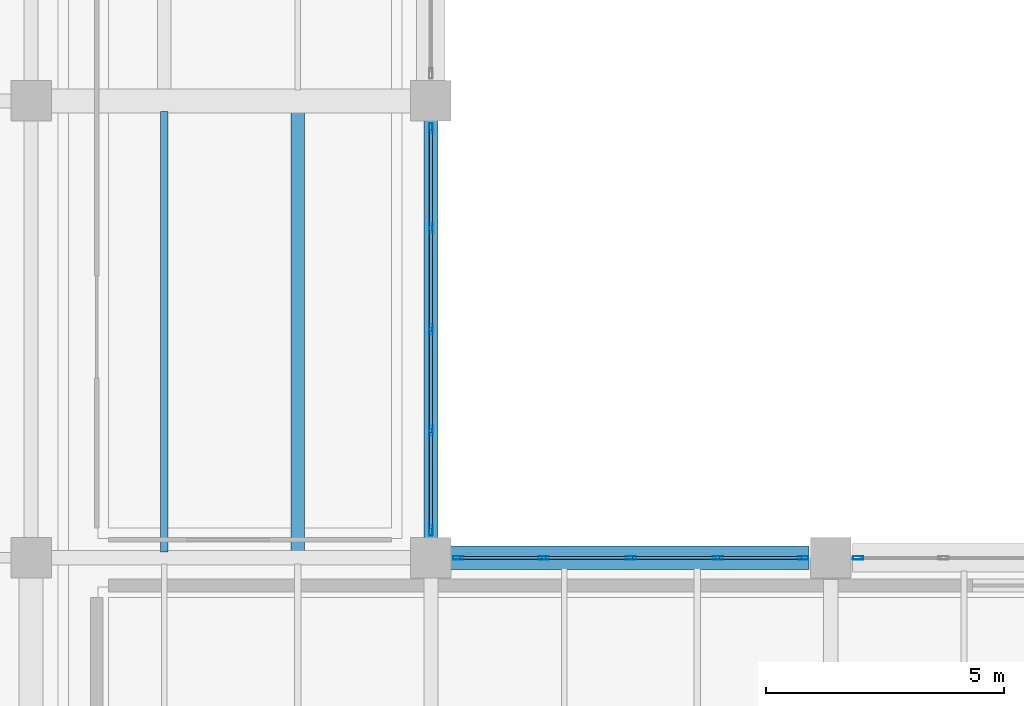
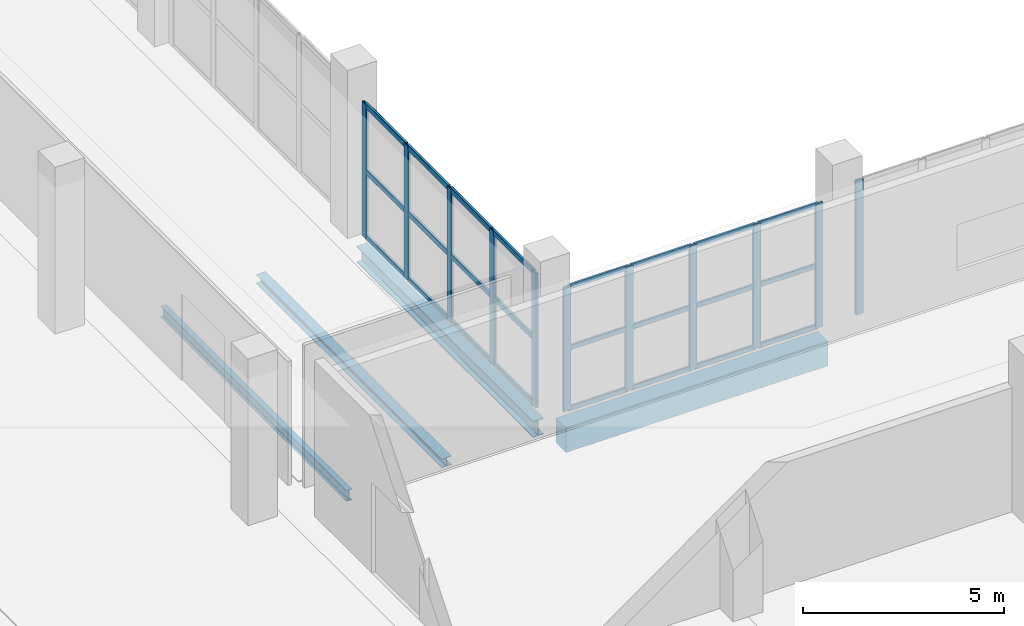
# One storey, part 28 of 66: 35 members, 4 beams, 3 elements without a shape of their own.
"""IFC4 building model written with IfcOpenShell, lengths in metres."""

from ifc_helpers import new_model, si_unit, direction, frame, origin, origin_2d, place, context, subcontext, project, spatial, rectangle, hollow_rectangle, i_section, extrude, material, layer, layer_set, material_profile, profile_set, type_object, element, aggregate, save


model = new_model("IFC4")

# Units and contexts
model_context = context("Model", 3, precision=1e-05, world=origin(), true_north=direction((0.0, 1.0)))
body_context = subcontext(model_context, "Body", "Model", "MODEL_VIEW")
ifc_project = project(units=[si_unit("LENGTHUNIT", "METRE"), si_unit("AREAUNIT", "SQUARE_METRE"), si_unit("VOLUMEUNIT", "CUBIC_METRE"), si_unit("PLANEANGLEUNIT", "RADIAN"), si_unit("MASSUNIT", "GRAM", prefix="KILO")], contexts=[model_context])

# Site, building, storey
site_placement = place(None, origin())
site = spatial("IfcSite", under=ifc_project, at=site_placement, CompositionType="ELEMENT")
building_placement = place(site_placement, origin())
building = spatial("IfcBuilding", under=site, at=building_placement, Name="Zulmaris Art Gallery", CompositionType="ELEMENT")
storey_placement = place(building_placement, frame((0.0, 0.0, 5.39990234375)))
storey = spatial("IfcBuildingStorey", under=building, at=storey_placement, Name="L01", CompositionType="ELEMENT", Elevation=5.39990234375)

# Beams
ifc_material_1 = material(Name="Steel S355J2", Category="steel")
ifc_material_profile_1 = material_profile(ifc_material_1, i_section(OverallWidth=0.300048828125, OverallDepth=0.5, WebThickness=0.014404296875, FlangeThickness=0.028076171875, FilletRadius=0.027099609375, at=origin_2d()), Name="HEB 500")
ifc_profile_set_1 = profile_set([ifc_material_profile_1], Name="Steel S355J2")
beam_type_1 = type_object("IfcBeamType", Name="BEAM-BM14", PredefinedType="BEAM", material=ifc_profile_set_1)
beam_1_placement = place(storey_placement, frame((158.39990234375, 31.610107421875, -0.579833984375), z_axis=(0.0, 1.0, 0.0), x_axis=(-1.0, 0.0, 0.0)))
element("IfcBeam", 1, at=beam_1_placement, inside=storey, type_object=beam_type_1, Name="L01 Y-girder (x=158.4, 31.2..40.8)", PredefinedType="BEAM", context=body_context, shape_type="SweptSolid", body=[
    extrude(i_section(OverallWidth=0.300048828125, OverallDepth=0.5, WebThickness=0.014404296875, FlangeThickness=0.028076171875, FilletRadius=0.027099609375, at=origin_2d()), origin(), (0.0, 0.0, 1.0), 8.77978515625),
])
ifc_material_2 = material(Name="Concrete C40/50", Category="concrete")
ifc_material_profile_2 = material_profile(ifc_material_2, rectangle(XDim=0.5, YDim=0.75, at=origin_2d()), Name="RC 500x750")
ifc_profile_set_2 = profile_set([ifc_material_profile_2], Name="Concrete C40/50")
beam_type_2 = type_object("IfcBeamType", Name="BEAM-BM20", PredefinedType="BEAM", material=ifc_profile_set_2)
beam_2_placement = place(storey_placement, frame((158.81005859375, 31.199951171875, -0.704833984375), z_axis=(1.0, 0.0, 0.0), x_axis=(0.0, 1.0, 0.0)))
element("IfcBeam", 2, at=beam_2_placement, inside=storey, type_object=beam_type_2, Name="L01 X-girder (158.4..166.8, y=31.2)", PredefinedType="BEAM", context=body_context, shape_type="SweptSolid", body=[
    extrude(rectangle(XDim=0.5, YDim=0.75, at=origin_2d()), origin(), (0.0, 0.0, 1.0), 7.530029296875),
])
ifc_material_profile_3 = material_profile(ifc_material_1, i_section(OverallWidth=0.159912109375, OverallDepth=0.330078125, WebThickness=0.007568359375, FlangeThickness=0.011474609375, FilletRadius=0.01806640625, at=origin_2d()), Name="IPE 330")
ifc_profile_set_3 = profile_set([ifc_material_profile_3], Name="Steel S355J2")
beam_type_3 = type_object("IfcBeamType", Name="BEAM-JS03", PredefinedType="JOIST", material=ifc_profile_set_3)
beam_3_placement = place(storey_placement, frame((152.800048828125, 31.324951171875, -0.494873046875), z_axis=(0.0, 1.0, 0.0), x_axis=(-1.0, 0.0, 0.0)))
element("IfcBeam", 3, at=beam_3_placement, inside=storey, type_object=beam_type_3, Name="L01 secondary joist at x=152.8", PredefinedType="JOIST", context=body_context, shape_type="SweptSolid", body=[
    extrude(i_section(OverallWidth=0.159912109375, OverallDepth=0.330078125, WebThickness=0.007568359375, FlangeThickness=0.011474609375, FilletRadius=0.01806640625, at=origin_2d()), origin(), (0.0, 0.0, 1.0), 9.25),
])
ifc_material_profile_4 = material_profile(ifc_material_1, i_section(OverallWidth=0.280029296875, OverallDepth=0.27001953125, WebThickness=0.008056640625, FlangeThickness=0.012939453125, FilletRadius=0.02392578125, at=origin_2d()), Name="HEA 280")
ifc_profile_set_4 = profile_set([ifc_material_profile_4], Name="Steel S355J2")
beam_type_4 = type_object("IfcBeamType", Name="BEAM-JS04", PredefinedType="JOIST", material=ifc_profile_set_4)
beam_4_placement = place(storey_placement, frame((155.60009765625, 31.324951171875, -0.46484375), z_axis=(0.0, 1.0, 0.0), x_axis=(-1.0, 0.0, 0.0)))
element("IfcBeam", 4, at=beam_4_placement, inside=storey, type_object=beam_type_4, Name="L01 secondary joist at x=155.6", PredefinedType="JOIST", context=body_context, shape_type="SweptSolid", body=[
    extrude(i_section(OverallWidth=0.280029296875, OverallDepth=0.27001953125, WebThickness=0.008056640625, FlangeThickness=0.012939453125, FilletRadius=0.02392578125, at=origin_2d()), origin(), (0.0, 0.0, 1.0), 9.25),
])

# Curtain wall, members
ifc_material_3 = material(Name="Courtyard Artists Studio Curtain Wall", Category="aluminium")
ifc_layer = layer(ifc_material_3, 0.179931640625)
ifc_layer_set = layer_set([ifc_layer], Name="Courtyard Artists Studio Curtain Wall")
curtain_wall_type = type_object("IfcCurtainWallType", Name="CW-CW04", PredefinedType="NOTDEFINED", material=ifc_layer_set)
curtain_wall_1_placement = place(storey_placement, origin())
curtain_wall_1 = element("IfcCurtainWall", 5, at=curtain_wall_1_placement, inside=storey, type_object=curtain_wall_type, Name="L01 curtain wall 123", PredefinedType="NOTDEFINED")
ifc_material_4 = material(Name="Anodised Bronze Aluminium", Category="aluminium")
ifc_material_profile_5 = material_profile(ifc_material_4, hollow_rectangle(XDim=0.074951171875, YDim=0.219970703125, WallThickness=0.0048828125, InnerFilletRadius=0.007568359375, OuterFilletRadius=0.012451171875, at=origin_2d()), Name="ALU 75x220x5")
ifc_profile_set_5 = profile_set([ifc_material_profile_5], Name="Anodised Bronze Aluminium")
member_type_1 = type_object("IfcMemberType", Name="CWMUL-02", PredefinedType="MULLION", material=ifc_profile_set_5)
member_1_placement = place(storey_placement, frame((158.39990234375, 31.777587890625, 0.0), z_axis=(0.0, 0.0, 1.0), x_axis=(-1.0, 0.0, 0.0)))
member_1 = element("IfcMember", 6, at=member_1_placement, type_object=member_type_1, Name="CW04 mullion 1", PredefinedType="MULLION", context=body_context, shape_type="SweptSolid", body=[
    extrude(hollow_rectangle(XDim=0.074951171875, YDim=0.219970703125, WallThickness=0.0048828125, InnerFilletRadius=0.007568359375, OuterFilletRadius=0.012451171875, at=origin_2d()), origin(), (0.0, 0.0, 1.0), 4.070068359375),
])
member_2_placement = place(storey_placement, frame((158.39990234375, 33.8701171875, 0.0), z_axis=(0.0, 0.0, 1.0), x_axis=(-1.0, 0.0, 0.0)))
member_2 = element("IfcMember", 7, at=member_2_placement, type_object=member_type_1, Name="CW04 mullion 2", PredefinedType="MULLION", context=body_context, shape_type="SweptSolid", body=[
    extrude(hollow_rectangle(XDim=0.074951171875, YDim=0.219970703125, WallThickness=0.0048828125, InnerFilletRadius=0.007568359375, OuterFilletRadius=0.012451171875, at=origin_2d()), origin(), (0.0, 0.0, 1.0), 4.070068359375),
])
member_3_placement = place(storey_placement, frame((158.39990234375, 36.0, 0.0), z_axis=(0.0, 0.0, 1.0), x_axis=(-1.0, 0.0, 0.0)))
member_3 = element("IfcMember", 8, at=member_3_placement, type_object=member_type_1, Name="CW04 mullion 3", PredefinedType="MULLION", context=body_context, shape_type="SweptSolid", body=[
    extrude(hollow_rectangle(XDim=0.074951171875, YDim=0.219970703125, WallThickness=0.0048828125, InnerFilletRadius=0.007568359375, OuterFilletRadius=0.012451171875, at=origin_2d()), origin(), (0.0, 0.0, 1.0), 4.070068359375),
])
member_4_placement = place(storey_placement, frame((158.39990234375, 38.1298828125, 0.0), z_axis=(0.0, 0.0, 1.0), x_axis=(-1.0, 0.0, 0.0)))
member_4 = element("IfcMember", 9, at=member_4_placement, type_object=member_type_1, Name="CW04 mullion 4", PredefinedType="MULLION", context=body_context, shape_type="SweptSolid", body=[
    extrude(hollow_rectangle(XDim=0.074951171875, YDim=0.219970703125, WallThickness=0.0048828125, InnerFilletRadius=0.007568359375, OuterFilletRadius=0.012451171875, at=origin_2d()), origin(), (0.0, 0.0, 1.0), 4.070068359375),
])
member_5_placement = place(storey_placement, frame((158.39990234375, 40.222412109375, 0.0), z_axis=(0.0, 0.0, 1.0), x_axis=(-1.0, 0.0, 0.0)))
member_5 = element("IfcMember", 10, at=member_5_placement, type_object=member_type_1, Name="CW04 mullion 5", PredefinedType="MULLION", context=body_context, shape_type="SweptSolid", body=[
    extrude(hollow_rectangle(XDim=0.074951171875, YDim=0.219970703125, WallThickness=0.0048828125, InnerFilletRadius=0.007568359375, OuterFilletRadius=0.012451171875, at=origin_2d()), origin(), (0.0, 0.0, 1.0), 4.070068359375),
])

curtain_wall_2_placement = place(storey_placement, origin())
curtain_wall_2 = element("IfcCurtainWall", 11, at=curtain_wall_2_placement, inside=storey, type_object=curtain_wall_type, Name="L01 curtain wall 130", PredefinedType="NOTDEFINED")
member_6_placement = place(storey_placement, frame((158.9775390625, 31.199951171875, 0.0), z_axis=(0.0, 0.0, 1.0), x_axis=(0.0, 1.0, 0.0)))
member_6 = element("IfcMember", 12, at=member_6_placement, type_object=member_type_1, Name="CW04 mullion 1", PredefinedType="MULLION", context=body_context, shape_type="SweptSolid", body=[
    extrude(hollow_rectangle(XDim=0.074951171875, YDim=0.219970703125, WallThickness=0.0048828125, InnerFilletRadius=0.007568359375, OuterFilletRadius=0.012451171875, at=origin_2d()), origin(), (0.0, 0.0, 1.0), 3.77001953125),
])
member_7_placement = place(storey_placement, frame((160.77001953125, 31.199951171875, 0.0), z_axis=(0.0, 0.0, 1.0), x_axis=(0.0, 1.0, 0.0)))
member_7 = element("IfcMember", 13, at=member_7_placement, type_object=member_type_1, Name="CW04 mullion 2", PredefinedType="MULLION", context=body_context, shape_type="SweptSolid", body=[
    extrude(hollow_rectangle(XDim=0.074951171875, YDim=0.219970703125, WallThickness=0.0048828125, InnerFilletRadius=0.007568359375, OuterFilletRadius=0.012451171875, at=origin_2d()), origin(), (0.0, 0.0, 1.0), 3.77001953125),
])
member_8_placement = place(storey_placement, frame((162.60009765625, 31.199951171875, 0.0), z_axis=(0.0, 0.0, 1.0), x_axis=(0.0, 1.0, 0.0)))
member_8 = element("IfcMember", 14, at=member_8_placement, type_object=member_type_1, Name="CW04 mullion 3", PredefinedType="MULLION", context=body_context, shape_type="SweptSolid", body=[
    extrude(hollow_rectangle(XDim=0.074951171875, YDim=0.219970703125, WallThickness=0.0048828125, InnerFilletRadius=0.007568359375, OuterFilletRadius=0.012451171875, at=origin_2d()), origin(), (0.0, 0.0, 1.0), 3.77001953125),
])
member_9_placement = place(storey_placement, frame((164.429931640625, 31.199951171875, 0.0), z_axis=(0.0, 0.0, 1.0), x_axis=(0.0, 1.0, 0.0)))
member_9 = element("IfcMember", 15, at=member_9_placement, type_object=member_type_1, Name="CW04 mullion 4", PredefinedType="MULLION", context=body_context, shape_type="SweptSolid", body=[
    extrude(hollow_rectangle(XDim=0.074951171875, YDim=0.219970703125, WallThickness=0.0048828125, InnerFilletRadius=0.007568359375, OuterFilletRadius=0.012451171875, at=origin_2d()), origin(), (0.0, 0.0, 1.0), 3.77001953125),
])
member_10_placement = place(storey_placement, frame((166.222412109375, 31.199951171875, 0.0), z_axis=(0.0, 0.0, 1.0), x_axis=(0.0, 1.0, 0.0)))
member_10 = element("IfcMember", 16, at=member_10_placement, type_object=member_type_1, Name="CW04 mullion 5", PredefinedType="MULLION", context=body_context, shape_type="SweptSolid", body=[
    extrude(hollow_rectangle(XDim=0.074951171875, YDim=0.219970703125, WallThickness=0.0048828125, InnerFilletRadius=0.007568359375, OuterFilletRadius=0.012451171875, at=origin_2d()), origin(), (0.0, 0.0, 1.0), 3.77001953125),
])

# Curtain wall, member
curtain_wall_3_placement = place(storey_placement, origin())
curtain_wall_3 = element("IfcCurtainWall", 17, at=curtain_wall_3_placement, inside=storey, type_object=curtain_wall_type, Name="L01 curtain wall 132", PredefinedType="NOTDEFINED")
member_11_placement = place(storey_placement, frame((167.37744140625, 31.199951171875, 0.0), z_axis=(0.0, 0.0, 1.0), x_axis=(0.0, 1.0, 0.0)))
member_11 = element("IfcMember", 18, at=member_11_placement, type_object=member_type_1, Name="CW04 mullion 1", PredefinedType="MULLION", context=body_context, shape_type="SweptSolid", body=[
    extrude(hollow_rectangle(XDim=0.074951171875, YDim=0.219970703125, WallThickness=0.0048828125, InnerFilletRadius=0.007568359375, OuterFilletRadius=0.012451171875, at=origin_2d()), origin(), (0.0, 0.0, 1.0), 4.0751953125),
])
aggregate(curtain_wall_3, [member_11])

# Member
ifc_material_profile_6 = material_profile(ifc_material_4, hollow_rectangle(XDim=0.06494140625, YDim=0.14990234375, WallThickness=0.00390625, InnerFilletRadius=0.006103515625, OuterFilletRadius=0.010009765625, at=origin_2d()), Name="ALU 65x150x4")
ifc_profile_set_6 = profile_set([ifc_material_profile_6], Name="Anodised Bronze Aluminium")
member_type_2 = type_object("IfcMemberType", Name="CWTRN-01", PredefinedType="USERDEFINED", material=ifc_profile_set_6)
member_12_placement = place(storey_placement, frame((159.014892578125, 31.199951171875, 0.03759765625), z_axis=(1.0, 0.0, 0.0), x_axis=(0.0, 1.0, 0.0)))
member_12 = element("IfcMember", 19, at=member_12_placement, type_object=member_type_2, Name="CW04 transom 1.1", ObjectType="TRANSOM", PredefinedType="USERDEFINED", context=body_context, shape_type="SweptSolid", body=[
    extrude(hollow_rectangle(XDim=0.06494140625, YDim=0.14990234375, WallThickness=0.00390625, InnerFilletRadius=0.006103515625, OuterFilletRadius=0.010009765625, at=origin_2d()), origin(), (0.0, 0.0, 1.0), 1.717529296875),
])

member_13_placement = place(storey_placement, frame((159.014892578125, 31.199951171875, 1.885009765625), z_axis=(1.0, 0.0, 0.0), x_axis=(0.0, 1.0, 0.0)))
member_13 = element("IfcMember", 20, at=member_13_placement, type_object=member_type_2, Name="CW04 transom 1.2", ObjectType="TRANSOM", PredefinedType="USERDEFINED", context=body_context, shape_type="SweptSolid", body=[
    extrude(hollow_rectangle(XDim=0.06494140625, YDim=0.14990234375, WallThickness=0.00390625, InnerFilletRadius=0.006103515625, OuterFilletRadius=0.010009765625, at=origin_2d()), origin(), (0.0, 0.0, 1.0), 1.717529296875),
])

member_14_placement = place(storey_placement, frame((159.014892578125, 31.199951171875, 3.732666015625), z_axis=(1.0, 0.0, 0.0), x_axis=(0.0, 1.0, 0.0)))
member_14 = element("IfcMember", 21, at=member_14_placement, type_object=member_type_2, Name="CW04 transom 1.3", ObjectType="TRANSOM", PredefinedType="USERDEFINED", context=body_context, shape_type="SweptSolid", body=[
    extrude(hollow_rectangle(XDim=0.06494140625, YDim=0.14990234375, WallThickness=0.00390625, InnerFilletRadius=0.006103515625, OuterFilletRadius=0.010009765625, at=origin_2d()), origin(), (0.0, 0.0, 1.0), 1.717529296875),
])

member_15_placement = place(storey_placement, frame((160.8076171875, 31.199951171875, 0.03759765625), z_axis=(1.0, 0.0, 0.0), x_axis=(0.0, 1.0, 0.0)))
member_15 = element("IfcMember", 22, at=member_15_placement, type_object=member_type_2, Name="CW04 transom 2.1", ObjectType="TRANSOM", PredefinedType="USERDEFINED", context=body_context, shape_type="SweptSolid", body=[
    extrude(hollow_rectangle(XDim=0.06494140625, YDim=0.14990234375, WallThickness=0.00390625, InnerFilletRadius=0.006103515625, OuterFilletRadius=0.010009765625, at=origin_2d()), origin(), (0.0, 0.0, 1.0), 1.7548828125),
])

member_16_placement = place(storey_placement, frame((160.8076171875, 31.199951171875, 1.885009765625), z_axis=(1.0, 0.0, 0.0), x_axis=(0.0, 1.0, 0.0)))
member_16 = element("IfcMember", 23, at=member_16_placement, type_object=member_type_2, Name="CW04 transom 2.2", ObjectType="TRANSOM", PredefinedType="USERDEFINED", context=body_context, shape_type="SweptSolid", body=[
    extrude(hollow_rectangle(XDim=0.06494140625, YDim=0.14990234375, WallThickness=0.00390625, InnerFilletRadius=0.006103515625, OuterFilletRadius=0.010009765625, at=origin_2d()), origin(), (0.0, 0.0, 1.0), 1.7548828125),
])

member_17_placement = place(storey_placement, frame((160.8076171875, 31.199951171875, 3.732666015625), z_axis=(1.0, 0.0, 0.0), x_axis=(0.0, 1.0, 0.0)))
member_17 = element("IfcMember", 24, at=member_17_placement, type_object=member_type_2, Name="CW04 transom 2.3", ObjectType="TRANSOM", PredefinedType="USERDEFINED", context=body_context, shape_type="SweptSolid", body=[
    extrude(hollow_rectangle(XDim=0.06494140625, YDim=0.14990234375, WallThickness=0.00390625, InnerFilletRadius=0.006103515625, OuterFilletRadius=0.010009765625, at=origin_2d()), origin(), (0.0, 0.0, 1.0), 1.7548828125),
])

member_18_placement = place(storey_placement, frame((162.637451171875, 31.199951171875, 0.03759765625), z_axis=(1.0, 0.0, 0.0), x_axis=(0.0, 1.0, 0.0)))
member_18 = element("IfcMember", 25, at=member_18_placement, type_object=member_type_2, Name="CW04 transom 3.1", ObjectType="TRANSOM", PredefinedType="USERDEFINED", context=body_context, shape_type="SweptSolid", body=[
    extrude(hollow_rectangle(XDim=0.06494140625, YDim=0.14990234375, WallThickness=0.00390625, InnerFilletRadius=0.006103515625, OuterFilletRadius=0.010009765625, at=origin_2d()), origin(), (0.0, 0.0, 1.0), 1.755126953125),
])

member_19_placement = place(storey_placement, frame((162.637451171875, 31.199951171875, 1.885009765625), z_axis=(1.0, 0.0, 0.0), x_axis=(0.0, 1.0, 0.0)))
member_19 = element("IfcMember", 26, at=member_19_placement, type_object=member_type_2, Name="CW04 transom 3.2", ObjectType="TRANSOM", PredefinedType="USERDEFINED", context=body_context, shape_type="SweptSolid", body=[
    extrude(hollow_rectangle(XDim=0.06494140625, YDim=0.14990234375, WallThickness=0.00390625, InnerFilletRadius=0.006103515625, OuterFilletRadius=0.010009765625, at=origin_2d()), origin(), (0.0, 0.0, 1.0), 1.755126953125),
])

member_20_placement = place(storey_placement, frame((162.637451171875, 31.199951171875, 3.732666015625), z_axis=(1.0, 0.0, 0.0), x_axis=(0.0, 1.0, 0.0)))
member_20 = element("IfcMember", 27, at=member_20_placement, type_object=member_type_2, Name="CW04 transom 3.3", ObjectType="TRANSOM", PredefinedType="USERDEFINED", context=body_context, shape_type="SweptSolid", body=[
    extrude(hollow_rectangle(XDim=0.06494140625, YDim=0.14990234375, WallThickness=0.00390625, InnerFilletRadius=0.006103515625, OuterFilletRadius=0.010009765625, at=origin_2d()), origin(), (0.0, 0.0, 1.0), 1.755126953125),
])

member_21_placement = place(storey_placement, frame((164.467529296875, 31.199951171875, 0.03759765625), z_axis=(1.0, 0.0, 0.0), x_axis=(0.0, 1.0, 0.0)))
member_21 = element("IfcMember", 28, at=member_21_placement, type_object=member_type_2, Name="CW04 transom 4.1", ObjectType="TRANSOM", PredefinedType="USERDEFINED", context=body_context, shape_type="SweptSolid", body=[
    extrude(hollow_rectangle(XDim=0.06494140625, YDim=0.14990234375, WallThickness=0.00390625, InnerFilletRadius=0.006103515625, OuterFilletRadius=0.010009765625, at=origin_2d()), origin(), (0.0, 0.0, 1.0), 1.717529296875),
])

member_22_placement = place(storey_placement, frame((164.467529296875, 31.199951171875, 1.885009765625), z_axis=(1.0, 0.0, 0.0), x_axis=(0.0, 1.0, 0.0)))
member_22 = element("IfcMember", 29, at=member_22_placement, type_object=member_type_2, Name="CW04 transom 4.2", ObjectType="TRANSOM", PredefinedType="USERDEFINED", context=body_context, shape_type="SweptSolid", body=[
    extrude(hollow_rectangle(XDim=0.06494140625, YDim=0.14990234375, WallThickness=0.00390625, InnerFilletRadius=0.006103515625, OuterFilletRadius=0.010009765625, at=origin_2d()), origin(), (0.0, 0.0, 1.0), 1.717529296875),
])

member_23_placement = place(storey_placement, frame((164.467529296875, 31.199951171875, 3.732666015625), z_axis=(1.0, 0.0, 0.0), x_axis=(0.0, 1.0, 0.0)))
member_23 = element("IfcMember", 30, at=member_23_placement, type_object=member_type_2, Name="CW04 transom 4.3", ObjectType="TRANSOM", PredefinedType="USERDEFINED", context=body_context, shape_type="SweptSolid", body=[
    extrude(hollow_rectangle(XDim=0.06494140625, YDim=0.14990234375, WallThickness=0.00390625, InnerFilletRadius=0.006103515625, OuterFilletRadius=0.010009765625, at=origin_2d()), origin(), (0.0, 0.0, 1.0), 1.717529296875),
])

aggregate(curtain_wall_2, [member_6, member_7, member_8, member_9, member_10, member_12, member_13, member_14, member_15, member_16, member_17, member_18, member_19, member_20, member_21, member_22, member_23])

ifc_material_profile_7 = material_profile(ifc_material_4, hollow_rectangle(XDim=0.074951171875, YDim=0.159912109375, WallThickness=0.00390625, InnerFilletRadius=0.006103515625, OuterFilletRadius=0.010009765625, at=origin_2d()), Name="ALU 75x160x4")
ifc_profile_set_7 = profile_set([ifc_material_profile_7], Name="Anodised Bronze Aluminium")
member_type_3 = type_object("IfcMemberType", Name="CWTRN-02", PredefinedType="USERDEFINED", material=ifc_profile_set_7)
member_24_placement = place(storey_placement, frame((158.39990234375, 31.81494140625, 0.03759765625), z_axis=(0.0, 1.0, 0.0), x_axis=(-1.0, 0.0, 0.0)))
member_24 = element("IfcMember", 31, at=member_24_placement, type_object=member_type_3, Name="CW04 transom 1.1", ObjectType="TRANSOM", PredefinedType="USERDEFINED", context=body_context, shape_type="SweptSolid", body=[
    extrude(hollow_rectangle(XDim=0.074951171875, YDim=0.159912109375, WallThickness=0.00390625, InnerFilletRadius=0.006103515625, OuterFilletRadius=0.010009765625, at=origin_2d()), origin(), (0.0, 0.0, 1.0), 2.017578125),
])

member_25_placement = place(storey_placement, frame((158.39990234375, 31.81494140625, 2.03515625), z_axis=(0.0, 1.0, 0.0), x_axis=(-1.0, 0.0, 0.0)))
member_25 = element("IfcMember", 32, at=member_25_placement, type_object=member_type_3, Name="CW04 transom 1.2", ObjectType="TRANSOM", PredefinedType="USERDEFINED", context=body_context, shape_type="SweptSolid", body=[
    extrude(hollow_rectangle(XDim=0.074951171875, YDim=0.159912109375, WallThickness=0.00390625, InnerFilletRadius=0.006103515625, OuterFilletRadius=0.010009765625, at=origin_2d()), origin(), (0.0, 0.0, 1.0), 2.017578125),
])

member_26_placement = place(storey_placement, frame((158.39990234375, 31.81494140625, 4.03271484375), z_axis=(0.0, 1.0, 0.0), x_axis=(-1.0, 0.0, 0.0)))
member_26 = element("IfcMember", 33, at=member_26_placement, type_object=member_type_3, Name="CW04 transom 1.3", ObjectType="TRANSOM", PredefinedType="USERDEFINED", context=body_context, shape_type="SweptSolid", body=[
    extrude(hollow_rectangle(XDim=0.074951171875, YDim=0.159912109375, WallThickness=0.00390625, InnerFilletRadius=0.006103515625, OuterFilletRadius=0.010009765625, at=origin_2d()), origin(), (0.0, 0.0, 1.0), 2.017578125),
])

member_27_placement = place(storey_placement, frame((158.39990234375, 33.907470703125, 0.03759765625), z_axis=(0.0, 1.0, 0.0), x_axis=(-1.0, 0.0, 0.0)))
member_27 = element("IfcMember", 34, at=member_27_placement, type_object=member_type_3, Name="CW04 transom 2.1", ObjectType="TRANSOM", PredefinedType="USERDEFINED", context=body_context, shape_type="SweptSolid", body=[
    extrude(hollow_rectangle(XDim=0.074951171875, YDim=0.159912109375, WallThickness=0.00390625, InnerFilletRadius=0.006103515625, OuterFilletRadius=0.010009765625, at=origin_2d()), origin(), (0.0, 0.0, 1.0), 2.054931640625),
])

member_28_placement = place(storey_placement, frame((158.39990234375, 33.907470703125, 2.03515625), z_axis=(0.0, 1.0, 0.0), x_axis=(-1.0, 0.0, 0.0)))
member_28 = element("IfcMember", 35, at=member_28_placement, type_object=member_type_3, Name="CW04 transom 2.2", ObjectType="TRANSOM", PredefinedType="USERDEFINED", context=body_context, shape_type="SweptSolid", body=[
    extrude(hollow_rectangle(XDim=0.074951171875, YDim=0.159912109375, WallThickness=0.00390625, InnerFilletRadius=0.006103515625, OuterFilletRadius=0.010009765625, at=origin_2d()), origin(), (0.0, 0.0, 1.0), 2.054931640625),
])

member_29_placement = place(storey_placement, frame((158.39990234375, 33.907470703125, 4.03271484375), z_axis=(0.0, 1.0, 0.0), x_axis=(-1.0, 0.0, 0.0)))
member_29 = element("IfcMember", 36, at=member_29_placement, type_object=member_type_3, Name="CW04 transom 2.3", ObjectType="TRANSOM", PredefinedType="USERDEFINED", context=body_context, shape_type="SweptSolid", body=[
    extrude(hollow_rectangle(XDim=0.074951171875, YDim=0.159912109375, WallThickness=0.00390625, InnerFilletRadius=0.006103515625, OuterFilletRadius=0.010009765625, at=origin_2d()), origin(), (0.0, 0.0, 1.0), 2.054931640625),
])

member_30_placement = place(storey_placement, frame((158.39990234375, 36.03759765625, 0.03759765625), z_axis=(0.0, 1.0, 0.0), x_axis=(-1.0, 0.0, 0.0)))
member_30 = element("IfcMember", 37, at=member_30_placement, type_object=member_type_3, Name="CW04 transom 3.1", ObjectType="TRANSOM", PredefinedType="USERDEFINED", context=body_context, shape_type="SweptSolid", body=[
    extrude(hollow_rectangle(XDim=0.074951171875, YDim=0.159912109375, WallThickness=0.00390625, InnerFilletRadius=0.006103515625, OuterFilletRadius=0.010009765625, at=origin_2d()), origin(), (0.0, 0.0, 1.0), 2.054931640625),
])

member_31_placement = place(storey_placement, frame((158.39990234375, 36.03759765625, 2.03515625), z_axis=(0.0, 1.0, 0.0), x_axis=(-1.0, 0.0, 0.0)))
member_31 = element("IfcMember", 38, at=member_31_placement, type_object=member_type_3, Name="CW04 transom 3.2", ObjectType="TRANSOM", PredefinedType="USERDEFINED", context=body_context, shape_type="SweptSolid", body=[
    extrude(hollow_rectangle(XDim=0.074951171875, YDim=0.159912109375, WallThickness=0.00390625, InnerFilletRadius=0.006103515625, OuterFilletRadius=0.010009765625, at=origin_2d()), origin(), (0.0, 0.0, 1.0), 2.054931640625),
])

member_32_placement = place(storey_placement, frame((158.39990234375, 36.03759765625, 4.03271484375), z_axis=(0.0, 1.0, 0.0), x_axis=(-1.0, 0.0, 0.0)))
member_32 = element("IfcMember", 39, at=member_32_placement, type_object=member_type_3, Name="CW04 transom 3.3", ObjectType="TRANSOM", PredefinedType="USERDEFINED", context=body_context, shape_type="SweptSolid", body=[
    extrude(hollow_rectangle(XDim=0.074951171875, YDim=0.159912109375, WallThickness=0.00390625, InnerFilletRadius=0.006103515625, OuterFilletRadius=0.010009765625, at=origin_2d()), origin(), (0.0, 0.0, 1.0), 2.054931640625),
])

member_33_placement = place(storey_placement, frame((158.39990234375, 38.16748046875, 0.03759765625), z_axis=(0.0, 1.0, 0.0), x_axis=(-1.0, 0.0, 0.0)))
member_33 = element("IfcMember", 40, at=member_33_placement, type_object=member_type_3, Name="CW04 transom 4.1", ObjectType="TRANSOM", PredefinedType="USERDEFINED", context=body_context, shape_type="SweptSolid", body=[
    extrude(hollow_rectangle(XDim=0.074951171875, YDim=0.159912109375, WallThickness=0.00390625, InnerFilletRadius=0.006103515625, OuterFilletRadius=0.010009765625, at=origin_2d()), origin(), (0.0, 0.0, 1.0), 2.017578125),
])

member_34_placement = place(storey_placement, frame((158.39990234375, 38.16748046875, 2.03515625), z_axis=(0.0, 1.0, 0.0), x_axis=(-1.0, 0.0, 0.0)))
member_34 = element("IfcMember", 41, at=member_34_placement, type_object=member_type_3, Name="CW04 transom 4.2", ObjectType="TRANSOM", PredefinedType="USERDEFINED", context=body_context, shape_type="SweptSolid", body=[
    extrude(hollow_rectangle(XDim=0.074951171875, YDim=0.159912109375, WallThickness=0.00390625, InnerFilletRadius=0.006103515625, OuterFilletRadius=0.010009765625, at=origin_2d()), origin(), (0.0, 0.0, 1.0), 2.017578125),
])

member_35_placement = place(storey_placement, frame((158.39990234375, 38.16748046875, 4.03271484375), z_axis=(0.0, 1.0, 0.0), x_axis=(-1.0, 0.0, 0.0)))
member_35 = element("IfcMember", 42, at=member_35_placement, type_object=member_type_3, Name="CW04 transom 4.3", ObjectType="TRANSOM", PredefinedType="USERDEFINED", context=body_context, shape_type="SweptSolid", body=[
    extrude(hollow_rectangle(XDim=0.074951171875, YDim=0.159912109375, WallThickness=0.00390625, InnerFilletRadius=0.006103515625, OuterFilletRadius=0.010009765625, at=origin_2d()), origin(), (0.0, 0.0, 1.0), 2.017578125),
])

aggregate(curtain_wall_1, [member_1, member_2, member_3, member_4, member_5, member_24, member_25, member_26, member_27, member_28, member_29, member_30, member_31, member_32, member_33, member_34, member_35])

save(model, "model.ifc")
